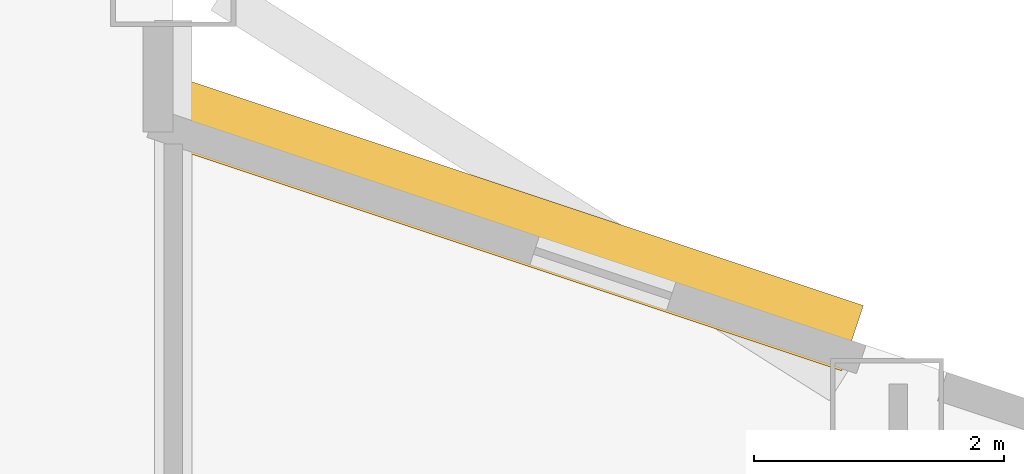
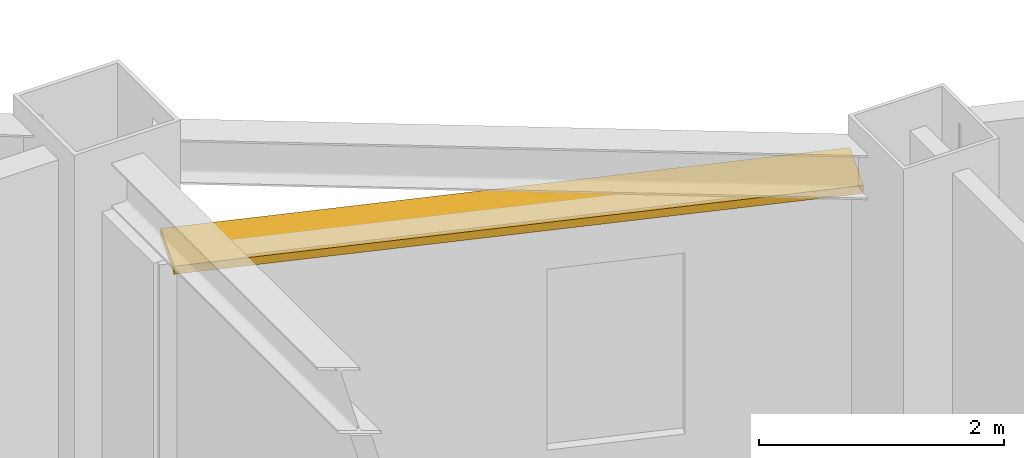
# One storey, part 13 of 13: 1 shading device.
"""IFC4 building model written with IfcOpenShell, lengths in metres."""

from ifc_helpers import new_model, si_unit, direction, frame, origin, origin_2d, place, context, subcontext, project, spatial, rectangle, extrude, material, layer, layer_set, type_object, element, save


model = new_model("IFC4")

# Units and contexts
model_context = context("Model", 3, precision=1e-05, world=origin(), true_north=direction((0.0, 1.0)))
body_context = subcontext(model_context, "Body", "Model", "MODEL_VIEW")
ifc_project = project(units=[si_unit("LENGTHUNIT", "METRE"), si_unit("AREAUNIT", "SQUARE_METRE"), si_unit("VOLUMEUNIT", "CUBIC_METRE"), si_unit("PLANEANGLEUNIT", "RADIAN"), si_unit("MASSUNIT", "GRAM", prefix="KILO")], contexts=[model_context])

# Site, building, storey
site_placement = place(None, origin())
site = spatial("IfcSite", under=ifc_project, at=site_placement, CompositionType="ELEMENT")
building_placement = place(site_placement, origin())
building = spatial("IfcBuilding", under=site, at=building_placement, Name="Haolan Belvedere Tower", CompositionType="ELEMENT")
storey_placement = place(building_placement, frame((0.0, 0.0, 102.199951171875)))
storey = spatial("IfcBuildingStorey", under=building, at=storey_placement, Name="L25", CompositionType="ELEMENT", Elevation=102.199951171875)

# Shading device
ifc_material = material(Name="Anodised champagne-silver aluminium 6063-T6", Category="aluminium")
ifc_layer = layer(ifc_material, 0.080078125, Name="Anodised champagne-silver aluminium 6063-T6")
ifc_layer_set = layer_set([ifc_layer], Name="Anodised champagne-silver aluminium 6063-T6")
shading_device_type = type_object("IfcShadingDeviceType", Name="SHD-SUN-550", PredefinedType="USERDEFINED", material=ifc_layer_set)
shading_device_placement = place(storey_placement, frame((55.505615234375, 43.519287109375, 3.044921875), z_axis=(0.0, 0.0, 1.0), x_axis=(-0.948683015593, 0.316228613389, 0.0)))
element("IfcShadingDevice", 1, at=shading_device_placement, inside=storey, type_object=shading_device_type, Name="L25 pale-metal horizontal SUNSHADE band 20.2", ObjectType="SUNSHADE", PredefinedType="USERDEFINED", context=body_context, shape_type="SweptSolid", body=[
    extrude(rectangle(XDim=5.7333984375, YDim=0.550048828125, at=origin_2d()), origin(), (0.0, 0.0, 1.0), 0.080078125),
])

save(model, "model.ifc")
